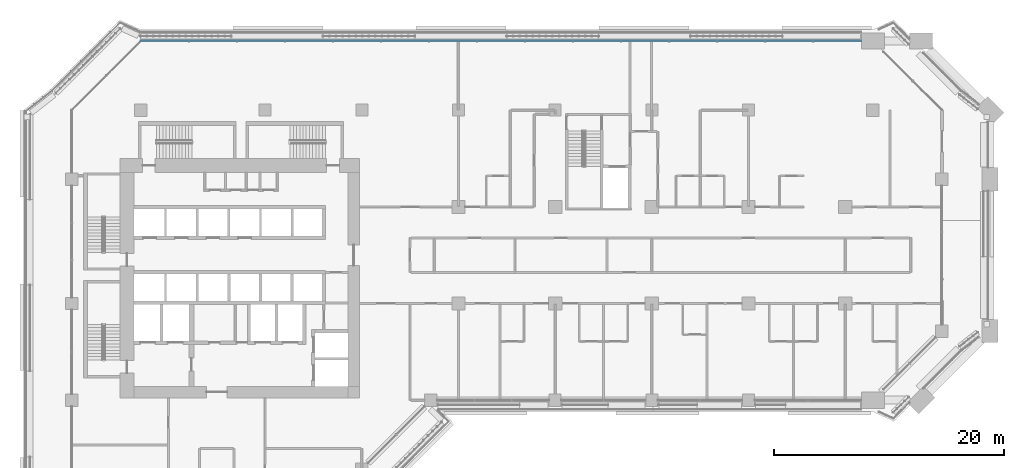
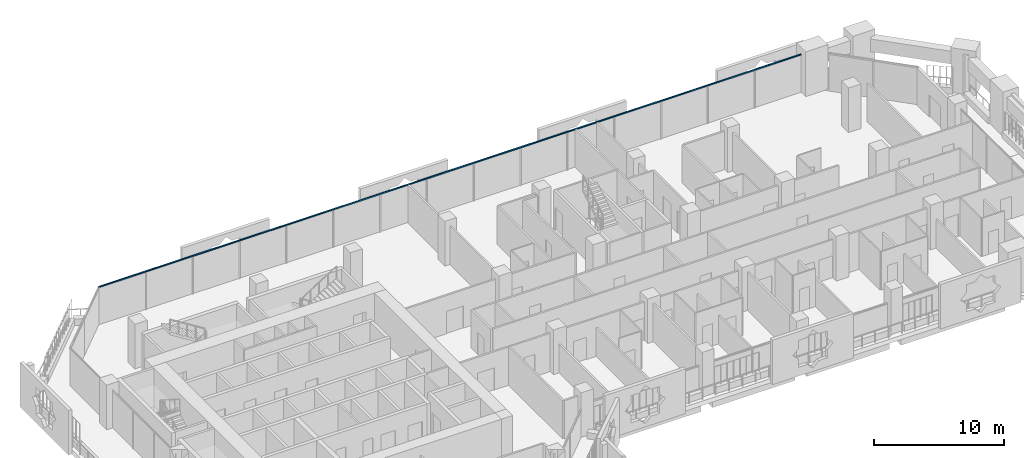
# One storey, part 9 of 27: 1 member, 1 element without a shape of its own.
"""IFC4 building model written with IfcOpenShell, lengths in metres."""

from ifc_helpers import new_model, si_unit, direction, frame, origin, origin_2d, place, context, subcontext, project, spatial, rectangle, extrude, material, layer, layer_set, material_profile, profile_set, type_object, element, aggregate, save


model = new_model("IFC4")

# Units and contexts
model_context = context("Model", 3, precision=1e-05, world=origin(), true_north=direction((0.0, 1.0)))
body_context = subcontext(model_context, "Body", "Model", "MODEL_VIEW")
ifc_project = project(units=[si_unit("LENGTHUNIT", "METRE"), si_unit("AREAUNIT", "SQUARE_METRE"), si_unit("VOLUMEUNIT", "CUBIC_METRE"), si_unit("PLANEANGLEUNIT", "RADIAN"), si_unit("MASSUNIT", "GRAM", prefix="KILO")], contexts=[model_context])

# Site, building, storey
site_placement = place(None, origin())
site = spatial("IfcSite", under=ifc_project, at=site_placement, CompositionType="ELEMENT")
building_placement = place(site_placement, origin())
building = spatial("IfcBuilding", under=site, at=building_placement, Name="Kawkab Arch Medical Tower", CompositionType="ELEMENT")
storey_placement = place(building_placement, frame((0.0, 0.0, 115.60009765625)))
storey = spatial("IfcBuildingStorey", under=building, at=storey_placement, Name="L26", CompositionType="ELEMENT", Elevation=115.60009765625)

# Curtain wall, member
ifc_material_1 = material(Name="Bronze anodised aluminium curtain wall frame", Category="aluminium")
ifc_layer = layer(ifc_material_1, 0.159912109375)
ifc_layer_set = layer_set([ifc_layer], Name="Bronze anodised aluminium curtain wall frame")
curtain_wall_type = type_object("IfcCurtainWallType", Name="CW1 ward curtain wall", PredefinedType="NOTDEFINED", material=ifc_layer_set)
curtain_wall_placement = place(storey_placement, origin())
curtain_wall = element("IfcCurtainWall", 1, at=curtain_wall_placement, inside=storey, type_object=curtain_wall_type, Name="CW1 Ward curtain wall R11", PredefinedType="NOTDEFINED")
ifc_material_2 = material(Name="Bronze anodised aluminium curtain wall frame", Category="aluminium")
ifc_material_profile = material_profile(ifc_material_2, rectangle(XDim=0.06005859375, YDim=0.1201171875, at=origin_2d()), Name="AL 60x120")
ifc_profile_set = profile_set([ifc_material_profile], Name="Bronze anodised aluminium curtain wall frame")
member_type = type_object("IfcMemberType", Name="CW1 transom 120 x 60", PredefinedType="USERDEFINED", material=ifc_profile_set)
member_placement = place(storey_placement, frame((68.60009765625, 6.0, 3.539794921875), z_axis=(-1.0, 0.0, 0.0), x_axis=(0.0, -1.0, 0.0)))
member = element("IfcMember", 2, at=member_placement, type_object=member_type, Name="CW1 transom 1", ObjectType="TRANSOM", PredefinedType="USERDEFINED", context=body_context, shape_type="SweptSolid", body=[
    extrude(rectangle(XDim=0.06005859375, YDim=0.1201171875, at=origin_2d()), origin(), (0.0, 0.0, 1.0), 62.60009765625),
])
aggregate(curtain_wall, [member])

save(model, "model.ifc")
